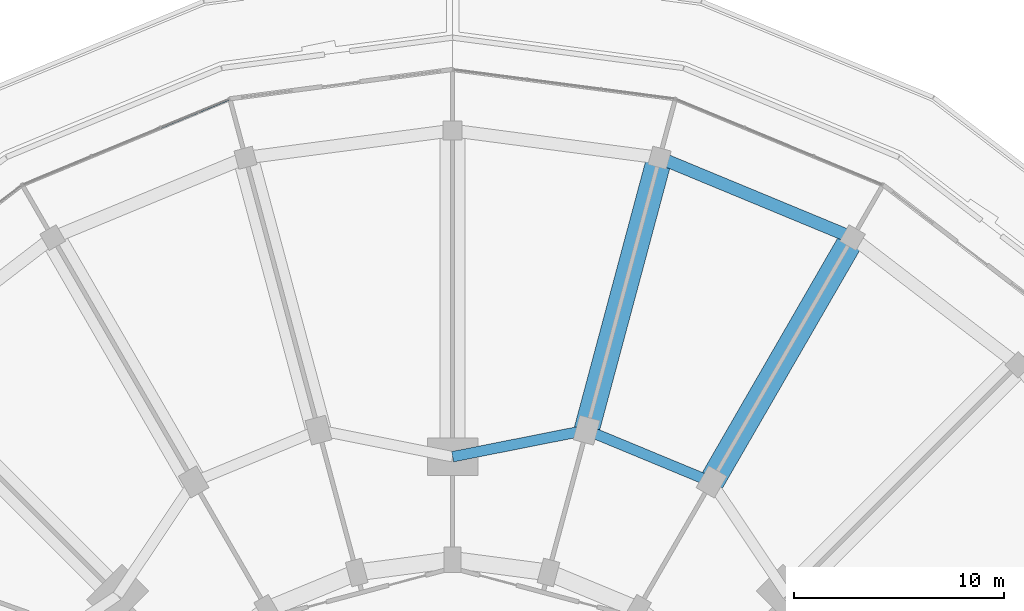
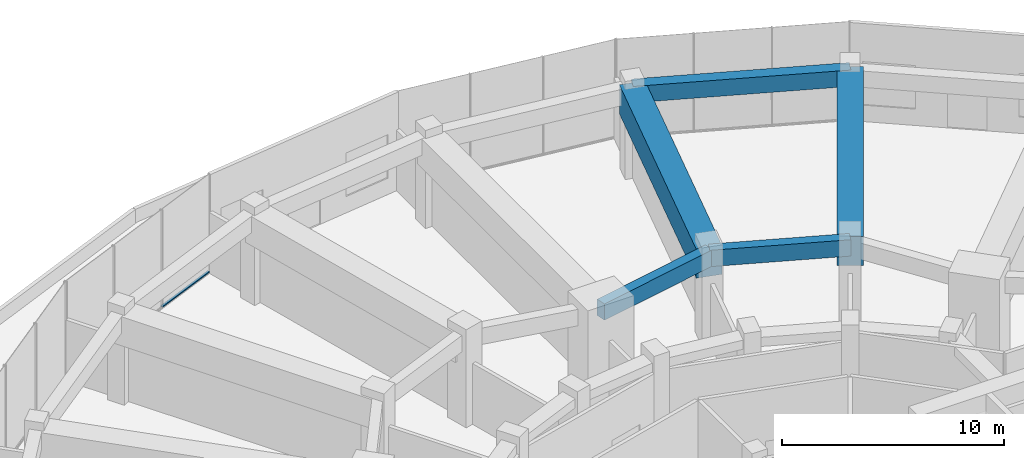
# One storey, part 16 of 30: 5 beams, 1 member, 1 element without a shape of its own.
"""IFC4 building model written with IfcOpenShell, lengths in metres."""

from ifc_helpers import new_model, si_unit, direction, frame, origin, origin_2d, place, context, subcontext, project, spatial, rectangle, extrude, material, layer, layer_set, material_profile, profile_set, type_object, element, aggregate, save


model = new_model("IFC4")

# Units and contexts
model_context = context("Model", 3, precision=1e-05, world=origin(), true_north=direction((0.0, 1.0)))
body_context = subcontext(model_context, "Body", "Model", "MODEL_VIEW")
ifc_project = project(units=[si_unit("LENGTHUNIT", "METRE"), si_unit("AREAUNIT", "SQUARE_METRE"), si_unit("VOLUMEUNIT", "CUBIC_METRE"), si_unit("PLANEANGLEUNIT", "RADIAN"), si_unit("MASSUNIT", "GRAM", prefix="KILO")], contexts=[model_context])

# Site, building, storey
site_placement = place(None, origin())
site = spatial("IfcSite", under=ifc_project, at=site_placement, CompositionType="ELEMENT")
building_placement = place(site_placement, origin())
building = spatial("IfcBuilding", under=site, at=building_placement, Name="Torre Brocal", CompositionType="ELEMENT")
storey_placement = place(building_placement, frame((0.0, 0.0, 7.0)))
storey = spatial("IfcBuildingStorey", under=building, at=storey_placement, Name="L01", CompositionType="ELEMENT", Elevation=7.0)

# Curtain wall, member
ifc_material_1 = material(Name="Aluminium and glass", Category="aluminium")
ifc_layer = layer(ifc_material_1, 0.199951171875)
ifc_layer_set = layer_set([ifc_layer], Name="Aluminium and glass")
curtain_wall_type = type_object("IfcCurtainWallType", Name="CW-3 CURTAIN WALL 5400 HIGH", PredefinedType="NOTDEFINED", material=ifc_layer_set)
curtain_wall_placement = place(storey_placement, origin())
curtain_wall = element("IfcCurtainWall", 1, at=curtain_wall_placement, inside=storey, type_object=curtain_wall_type, Name="CW-3 RUN 8", PredefinedType="NOTDEFINED")
ifc_material_2 = material(Name="Aluminium, dark anodised", Category="aluminium")
ifc_material_profile_1 = material_profile(ifc_material_2, rectangle(XDim=0.1201171875, YDim=0.06005859375, at=origin_2d()), Name="CW-3 TRANSOM 120X60")
ifc_profile_set_1 = profile_set([ifc_material_profile_1], Name="Aluminium, dark anodised")
member_type = type_object("IfcMemberType", Name="CW-3 TRANSOM 120X60", PredefinedType="USERDEFINED", material=ifc_profile_set_1)
member_placement = place(storey_placement, frame((69.368408203125, 114.486328125, 0.030029296875), z_axis=(-0.923879324553, -0.382683934419, 0.0), x_axis=(0.382683934419, -0.923879324553, 0.0)))
member = element("IfcMember", 2, at=member_placement, type_object=member_type, Name="CW3-2 transom 1.1", ObjectType="TRANSOM", PredefinedType="USERDEFINED", context=body_context, shape_type="SweptSolid", body=[
    extrude(rectangle(XDim=0.1201171875, YDim=0.06005859375, at=origin_2d()), origin(), (0.0, 0.0, 1.0), 3.48388671875),
])
aggregate(curtain_wall, [member])

# Beams
ifc_material_3 = material(Name="Concrete C50", Category="concrete")
ifc_material_profile_2 = material_profile(ifc_material_3, rectangle(XDim=0.60009765625, YDim=0.89990234375, at=origin_2d()), Name="RC 600X900")
ifc_profile_set_2 = profile_set([ifc_material_profile_2], Name="Concrete C50")
beam_type_1 = type_object("IfcBeamType", Name="RC BEAM 600X900 C50 TOP 4950", PredefinedType="BEAM", material=ifc_profile_set_2)
beam_1_placement = place(storey_placement, frame((99.0, 107.908935546875, 4.5), z_axis=(-0.923880950116, 0.382680009946, 0.0), x_axis=(-0.382680009946, -0.923880950116, 0.0)))
element("IfcBeam", 3, at=beam_1_placement, inside=storey, type_object=beam_type_1, Name="Beam BT-10", PredefinedType="BEAM", context=body_context, shape_type="SweptSolid", body=[
    extrude(rectangle(XDim=0.60009765625, YDim=0.89990234375, at=origin_2d()), origin(), (0.0, 0.0, 1.0), 9.919921875),
])
ifc_material_4 = material(Name="Concrete C50", Category="concrete")
ifc_material_profile_3 = material_profile(ifc_material_4, rectangle(XDim=0.5, YDim=0.89990234375, at=origin_2d()), Name="RC 500X900")
ifc_profile_set_3 = profile_set([ifc_material_profile_3], Name="Concrete C50")
beam_type_2 = type_object("IfcBeamType", Name="RC SPANDREL BEAM 500X900 C50 TOP 4950", PredefinedType="SPANDREL", material=ifc_profile_set_3)
beam_2_placement = place(storey_placement, frame((92.300048828125, 96.30419921875, 4.5), z_axis=(-0.923882462513, 0.382676358639, 0.0), x_axis=(-0.382676358639, -0.923882462513, 0.0)))
element("IfcBeam", 4, at=beam_2_placement, inside=storey, type_object=beam_type_2, Name="Beam BT-12", PredefinedType="SPANDREL", context=body_context, shape_type="SweptSolid", body=[
    extrude(rectangle(XDim=0.5, YDim=0.89990234375, at=origin_2d()), origin(), (0.0, 0.0, 1.0), 6.421875),
])
beam_3_placement = place(storey_placement, frame((86.366943359375, 98.76171875, 4.5), z_axis=(-0.980924907484, -0.194387051723, 0.0), x_axis=(0.194387051723, -0.980924907484, 0.0)))
element("IfcBeam", 5, at=beam_3_placement, inside=storey, type_object=beam_type_2, Name="Beam BT-12", PredefinedType="SPANDREL", context=body_context, shape_type="SweptSolid", body=[
    extrude(rectangle(XDim=0.5, YDim=0.89990234375, at=origin_2d()), origin(), (0.0, 0.0, 1.0), 6.49072265625),
])
ifc_material_5 = material(Name="Concrete C60", Category="concrete")
ifc_material_profile_4 = material_profile(ifc_material_5, rectangle(XDim=1.199951171875, YDim=1.60009765625, at=origin_2d()), Name="RC 1200X1600")
ifc_profile_set_4 = profile_set([ifc_material_profile_4], Name="Concrete C60")
beam_type_3 = type_object("IfcBeamType", Name="RC TRANSFER GIRDER 1200X1600 C60 TOP 4950", PredefinedType="BEAM", material=ifc_profile_set_4)
for number, where, z_axis, x_axis, name in (
    (6, (86.366943359375, 98.76171875, 4.14990234375), (0.258825940132, 0.965923978745, 0.0), (-0.965923978745, 0.258825940132, 0.0), "Beam TG-02"),
    (7, (92.300048828125, 96.30419921875, 4.14990234375), (0.499997399001, 0.866026905467, 0.0), (-0.866026905467, 0.499997399001, 0.0), "Beam TG-02"),
):
    element("IfcBeam", number, at=place(storey_placement, frame(where, z_axis=z_axis, x_axis=x_axis)), inside=storey, type_object=beam_type_3, Name=name, PredefinedType="BEAM", context=body_context, shape_type="SweptSolid", body=[
        extrude(rectangle(XDim=1.199951171875, YDim=1.60009765625, at=origin_2d()), origin(), (0.0, 0.0, 1.0), 13.39990234375),
    ])

save(model, "model.ifc")
